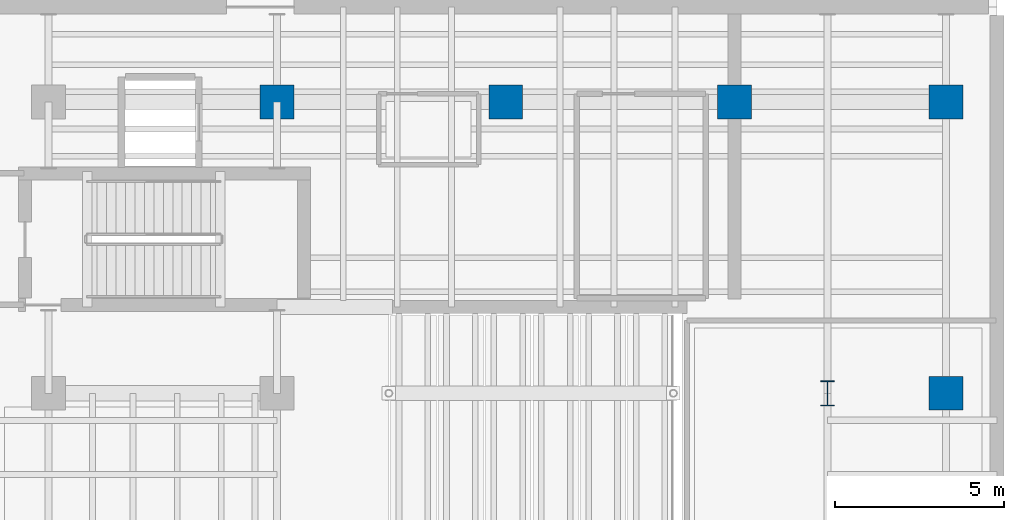
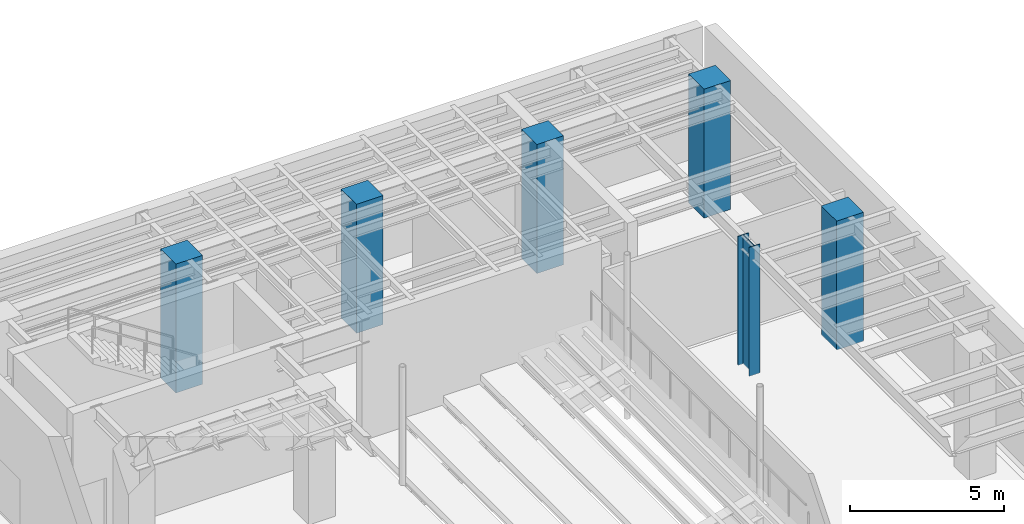
# One storey, part 6 of 28: 6 columns.
"""IFC4 building model written with IfcOpenShell, lengths in metres."""

from ifc_helpers import new_model, si_unit, direction, frame, origin, origin_2d, place, context, subcontext, project, spatial, rectangle, i_section, extrude, material, material_profile, profile_set, type_object, element, save


model = new_model("IFC4")

# Units and contexts
model_context = context("Model", 3, precision=1e-05, world=origin(), true_north=direction((0.0, 1.0)))
body_context = subcontext(model_context, "Body", "Model", "MODEL_VIEW")
ifc_project = project(units=[si_unit("LENGTHUNIT", "METRE"), si_unit("AREAUNIT", "SQUARE_METRE"), si_unit("VOLUMEUNIT", "CUBIC_METRE"), si_unit("PLANEANGLEUNIT", "RADIAN"), si_unit("MASSUNIT", "GRAM", prefix="KILO")], contexts=[model_context])

# Site, building, storey
site_placement = place(None, origin())
site = spatial("IfcSite", under=ifc_project, at=site_placement, CompositionType="ELEMENT")
building_placement = place(site_placement, origin())
building = spatial("IfcBuilding", under=site, at=building_placement, Name="Korentha Bioscience Tower", CompositionType="ELEMENT")
storey_placement = place(building_placement, origin())
storey = spatial("IfcBuildingStorey", under=building, at=storey_placement, Name="L00", CompositionType="ELEMENT", Elevation=0.0)

# Columns
ifc_material_1 = material(Name="Steel S355", Category="steel")
ifc_material_profile_1 = material_profile(ifc_material_1, i_section(OverallWidth=0.39990234375, OverallDepth=0.75, WebThickness=0.01611328125, FlangeThickness=0.028076171875, at=origin_2d()), Name="Steel S355")
ifc_profile_set_1 = profile_set([ifc_material_profile_1], Name="Steel S355 (TC-02)")
column_type_1 = type_object("IfcColumnType", Name="Theatre Fly-Tower Column CVS 750x256", PredefinedType="COLUMN", material=ifc_profile_set_1)
column_placement = place(storey_placement, frame((89.5, 35.60009765625, 0.0), z_axis=(0.0, 0.0, 1.0), x_axis=(1.0, 0.0, 0.0)))
element("IfcColumn", 1, at=column_placement, inside=storey, type_object=column_type_1, Name="L00 Fly-Tower Steel Column N", PredefinedType="COLUMN", context=body_context, shape_type="SweptSolid", body=[
    extrude(i_section(OverallWidth=0.39990234375, OverallDepth=0.75, WebThickness=0.01611328125, FlangeThickness=0.028076171875, at=origin_2d()), origin(), (0.0, 0.0, 1.0), 5.10009765625),
])
ifc_material_2 = material(Name="Concrete C50", Category="concrete")
ifc_material_profile_2 = material_profile(ifc_material_2, rectangle(XDim=1.0, YDim=1.0, at=origin_2d()), Name="Concrete C50")
ifc_profile_set_2 = profile_set([ifc_material_profile_2], Name="Concrete C50 (TC-01)")
column_type_2 = type_object("IfcColumnType", Name="Theatre Primary Column RC 1000x1000", PredefinedType="COLUMN", material=ifc_profile_set_2)
for number, where, z_axis, x_axis, name in (
    (2, (73.25, 44.199951171875, 0.0), (0.0, 0.0, 1.0), (1.0, 0.0, 0.0), "L00 Theatre Column 2-5"),
    (3, (80.0, 44.199951171875, 0.0), (0.0, 0.0, 1.0), (1.0, 0.0, 0.0), "L00 Theatre Column 3-5"),
    (4, (86.75, 44.199951171875, 0.0), (0.0, 0.0, 1.0), (1.0, 0.0, 0.0), "L00 Theatre Column 4-5"),
    (5, (93.0, 35.60009765625, 0.0), (0.0, 0.0, 1.0), (1.0, 0.0, 0.0), "L00 Theatre Column 5-4"),
    (6, (93.0, 44.199951171875, 0.0), (0.0, 0.0, 1.0), (1.0, 0.0, 0.0), "L00 Theatre Column 5-5"),
):
    element("IfcColumn", number, at=place(storey_placement, frame(where, z_axis=z_axis, x_axis=x_axis)), inside=storey, type_object=column_type_2, Name=name, PredefinedType="COLUMN", context=body_context, shape_type="SweptSolid", body=[
        extrude(rectangle(XDim=1.0, YDim=1.0, at=origin_2d()), origin(), (0.0, 0.0, 1.0), 5.10009765625),
    ])

save(model, "model.ifc")
